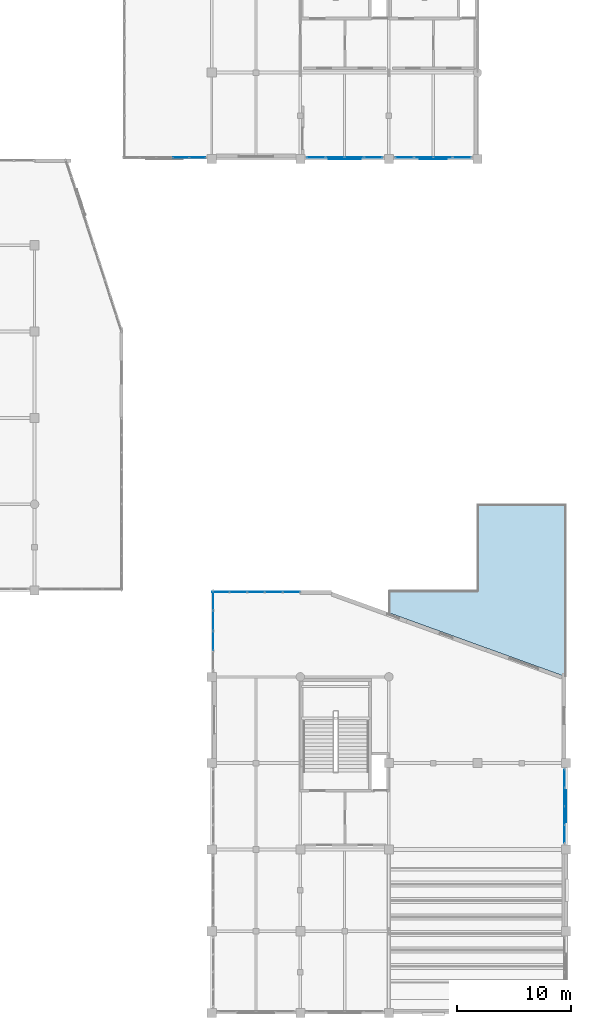
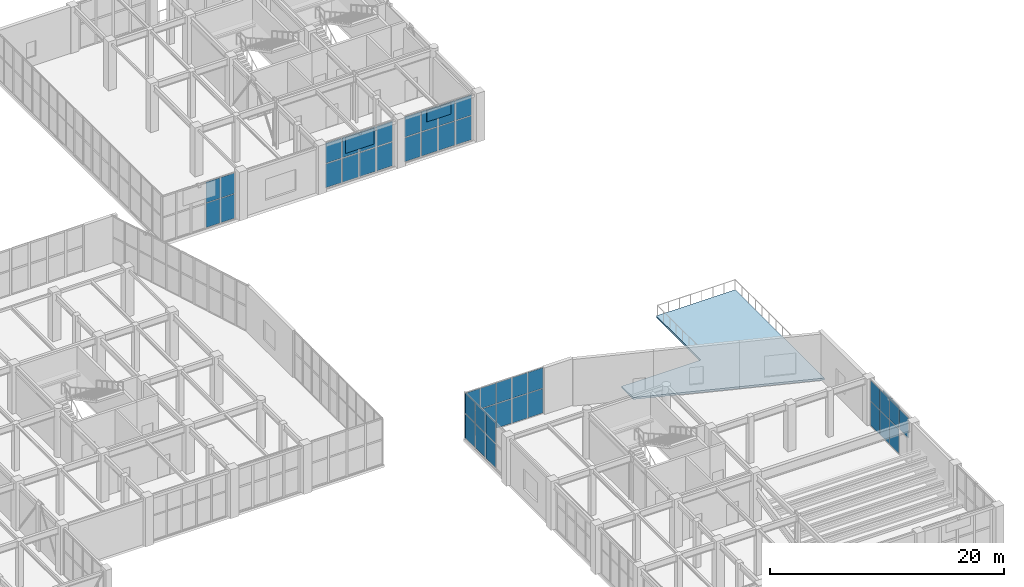
# One storey, part 104 of 128: 46 plates, 1 slab, 6 elements without a shape of their own.
"""IFC4 building model written with IfcOpenShell, lengths in metres."""

from ifc_helpers import new_model, si_unit, direction, frame, origin, origin_2d, place, context, subcontext, project, spatial, polyline, rectangle, outline, extrude, material, layer, layer_set, type_object, element, aggregate, save


model = new_model("IFC4")

# Units and contexts
model_context = context("Model", 3, precision=1e-05, world=origin(), true_north=direction((0.0, 1.0)))
body_context = subcontext(model_context, "Body", "Model", "MODEL_VIEW")
ifc_project = project(units=[si_unit("LENGTHUNIT", "METRE"), si_unit("AREAUNIT", "SQUARE_METRE"), si_unit("VOLUMEUNIT", "CUBIC_METRE"), si_unit("PLANEANGLEUNIT", "RADIAN"), si_unit("MASSUNIT", "GRAM", prefix="KILO")], contexts=[model_context])

# Site, building, storey
site_placement = place(None, origin())
site = spatial("IfcSite", under=ifc_project, at=site_placement, CompositionType="ELEMENT")
building_placement = place(site_placement, origin())
building = spatial("IfcBuilding", under=site, at=building_placement, Name="Xicomal Pleat Aquarium", CompositionType="ELEMENT")
storey_placement = place(building_placement, frame((0.0, 0.0, 5.39990234375)))
storey = spatial("IfcBuildingStorey", under=building, at=storey_placement, Name="L02", CompositionType="ELEMENT", Elevation=5.39990234375)

# Curtain wall, plates
ifc_material_1 = material(Name="Bronze anodized aluminium 6063-T6", Category="aluminium")
ifc_layer_1 = layer(ifc_material_1, 0.159912109375)
ifc_layer_set_1 = layer_set([ifc_layer_1], Name="Bronze anodized aluminium 6063-T6")
curtain_wall_type_1 = type_object("IfcCurtainWallType", Name="CW-SYS-02", PredefinedType="NOTDEFINED", material=ifc_layer_set_1)
curtain_wall_1_placement = place(storey_placement, origin())
curtain_wall_1 = element("IfcCurtainWall", 1, at=curtain_wall_1_placement, inside=storey, type_object=curtain_wall_type_1, Name="L02 unitised curtain wall CW-L02-072", PredefinedType="NOTDEFINED")
ifc_material_2 = material(Name="Insulated low-E laminated glass", Category="glass")
ifc_layer_2 = layer(ifc_material_2, 0.028076171875)
ifc_layer_set_2 = layer_set([ifc_layer_2], Name="Insulated low-E laminated glass")
plate_type_1 = type_object("IfcPlateType", Name="CWP-GLZ-28", PredefinedType="CURTAIN_PANEL", material=ifc_layer_set_2)
plate_1_placement = place(storey_placement, frame((164.860107421875, 21.44384765625, 0.065185546875), z_axis=(0.0, 0.0, 1.0), x_axis=(0.0, -1.0, 0.0)))
plate_1 = element("IfcPlate", 2, at=plate_1_placement, type_object=plate_type_1, Name="CW-02 panel 1.1", PredefinedType="CURTAIN_PANEL", context=body_context, shape_type="SweptSolid", body=[
    extrude(rectangle(XDim=1.54248046875, YDim=0.028076171875, at=origin_2d()), origin(), (0.0, 0.0, 1.0), 2.5166015625),
])
plate_2_placement = place(storey_placement, frame((164.860107421875, 21.44384765625, 2.646484375), z_axis=(0.0, 0.0, 1.0), x_axis=(0.0, -1.0, 0.0)))
plate_2 = element("IfcPlate", 3, at=plate_2_placement, type_object=plate_type_1, Name="CW-02 panel 1.2", PredefinedType="CURTAIN_PANEL", context=body_context, shape_type="SweptSolid", body=[
    extrude(rectangle(XDim=1.54248046875, YDim=0.028076171875, at=origin_2d()), origin(), (0.0, 0.0, 1.0), 2.12841796875),
])
plate_3_placement = place(storey_placement, frame((164.860107421875, 19.820068359375, 0.065185546875), z_axis=(0.0, 0.0, 1.0), x_axis=(0.0, -1.0, 0.0)))
plate_3 = element("IfcPlate", 4, at=plate_3_placement, type_object=plate_type_1, Name="CW-02 panel 2.1", PredefinedType="CURTAIN_PANEL", context=body_context, shape_type="SweptSolid", body=[
    extrude(rectangle(XDim=1.574951171875, YDim=0.028076171875, at=origin_2d()), origin(), (0.0, 0.0, 1.0), 2.5166015625),
])
plate_4_placement = place(storey_placement, frame((164.860107421875, 19.820068359375, 2.646484375), z_axis=(0.0, 0.0, 1.0), x_axis=(0.0, -1.0, 0.0)))
plate_4 = element("IfcPlate", 5, at=plate_4_placement, type_object=plate_type_1, Name="CW-02 panel 2.2", PredefinedType="CURTAIN_PANEL", context=body_context, shape_type="SweptSolid", body=[
    extrude(rectangle(XDim=1.574951171875, YDim=0.028076171875, at=origin_2d()), origin(), (0.0, 0.0, 1.0), 2.12841796875),
])
plate_5_placement = place(storey_placement, frame((164.860107421875, 18.179931640625, 0.065185546875), z_axis=(0.0, 0.0, 1.0), x_axis=(0.0, -1.0, 0.0)))
plate_5 = element("IfcPlate", 6, at=plate_5_placement, type_object=plate_type_1, Name="CW-02 panel 3.1", PredefinedType="CURTAIN_PANEL", context=body_context, shape_type="SweptSolid", body=[
    extrude(rectangle(XDim=1.574951171875, YDim=0.028076171875, at=origin_2d()), origin(), (0.0, 0.0, 1.0), 2.5166015625),
])
plate_6_placement = place(storey_placement, frame((164.860107421875, 18.179931640625, 2.646484375), z_axis=(0.0, 0.0, 1.0), x_axis=(0.0, -1.0, 0.0)))
plate_6 = element("IfcPlate", 7, at=plate_6_placement, type_object=plate_type_1, Name="CW-02 panel 3.2", PredefinedType="CURTAIN_PANEL", context=body_context, shape_type="SweptSolid", body=[
    extrude(rectangle(XDim=1.574951171875, YDim=0.028076171875, at=origin_2d()), origin(), (0.0, 0.0, 1.0), 2.12841796875),
])
plate_7_placement = place(storey_placement, frame((164.860107421875, 16.55615234375, 2.646484375), z_axis=(0.0, 0.0, 1.0), x_axis=(0.0, -1.0, 0.0)))
plate_7 = element("IfcPlate", 8, at=plate_7_placement, type_object=plate_type_1, Name="CW-02 panel 4.2", PredefinedType="CURTAIN_PANEL", context=body_context, shape_type="SweptSolid", body=[
    extrude(rectangle(XDim=1.54248046875, YDim=0.028076171875, at=origin_2d()), origin(), (0.0, 0.0, 1.0), 2.12841796875),
])
aggregate(curtain_wall_1, [plate_1, plate_2, plate_3, plate_4, plate_5, plate_6, plate_7])

ifc_material_3 = material(Name="Bronze anodized aluminium 6063-T6", Category="aluminium")
ifc_layer_3 = layer(ifc_material_3, 0.159912109375)
ifc_layer_set_3 = layer_set([ifc_layer_3], Name="Bronze anodized aluminium 6063-T6")
curtain_wall_type_2 = type_object("IfcCurtainWallType", Name="CW-SYS-12", PredefinedType="NOTDEFINED", material=ifc_layer_set_3)
curtain_wall_2_placement = place(storey_placement, origin())
curtain_wall_2 = element("IfcCurtainWall", 9, at=curtain_wall_2_placement, inside=storey, type_object=curtain_wall_type_2, Name="L02 unitised curtain wall CW-L02-080", PredefinedType="NOTDEFINED")
plate_8_placement = place(storey_placement, frame((133.93994140625, 33.574951171875, 0.0849609375), z_axis=(0.0, 0.0, 1.0), x_axis=(0.0, 1.0, 0.0)))
plate_8 = element("IfcPlate", 10, at=plate_8_placement, type_object=plate_type_1, Name="CW-12 panel 2.1", PredefinedType="CURTAIN_PANEL", context=body_context, shape_type="SweptSolid", body=[
    extrude(rectangle(XDim=1.68505859375, YDim=0.028076171875, at=origin_2d()), origin(), (0.0, 0.0, 1.0), 2.49658203125),
])
plate_9_placement = place(storey_placement, frame((133.93994140625, 33.574951171875, 2.66650390625), z_axis=(0.0, 0.0, 1.0), x_axis=(0.0, 1.0, 0.0)))
plate_9 = element("IfcPlate", 11, at=plate_9_placement, type_object=plate_type_1, Name="CW-12 panel 2.2", PredefinedType="CURTAIN_PANEL", context=body_context, shape_type="SweptSolid", body=[
    extrude(rectangle(XDim=1.68505859375, YDim=0.028076171875, at=origin_2d()), origin(), (0.0, 0.0, 1.0), 2.1083984375),
])
plate_10_placement = place(storey_placement, frame((133.93994140625, 35.344970703125, 0.0849609375), z_axis=(0.0, 0.0, 1.0), x_axis=(0.0, 1.0, 0.0)))
plate_10 = element("IfcPlate", 12, at=plate_10_placement, type_object=plate_type_1, Name="CW-12 panel 3.1", PredefinedType="CURTAIN_PANEL", context=body_context, shape_type="SweptSolid", body=[
    extrude(rectangle(XDim=1.68505859375, YDim=0.028076171875, at=origin_2d()), origin(), (0.0, 0.0, 1.0), 2.49658203125),
])
plate_11_placement = place(storey_placement, frame((133.93994140625, 35.344970703125, 2.66650390625), z_axis=(0.0, 0.0, 1.0), x_axis=(0.0, 1.0, 0.0)))
plate_11 = element("IfcPlate", 13, at=plate_11_placement, type_object=plate_type_1, Name="CW-12 panel 3.2", PredefinedType="CURTAIN_PANEL", context=body_context, shape_type="SweptSolid", body=[
    extrude(rectangle(XDim=1.68505859375, YDim=0.028076171875, at=origin_2d()), origin(), (0.0, 0.0, 1.0), 2.1083984375),
])
plate_12_placement = place(storey_placement, frame((133.93994140625, 37.09375, 0.0849609375), z_axis=(0.0, 0.0, 1.0), x_axis=(0.0, 1.0, 0.0)))
plate_12 = element("IfcPlate", 14, at=plate_12_placement, type_object=plate_type_1, Name="CW-12 panel 4.1", PredefinedType="CURTAIN_PANEL", context=body_context, shape_type="SweptSolid", body=[
    extrude(rectangle(XDim=1.642578125, YDim=0.028076171875, at=origin_2d()), origin(), (0.0, 0.0, 1.0), 2.49658203125),
])
plate_13_placement = place(storey_placement, frame((133.93994140625, 37.09375, 2.66650390625), z_axis=(0.0, 0.0, 1.0), x_axis=(0.0, 1.0, 0.0)))
plate_13 = element("IfcPlate", 15, at=plate_13_placement, type_object=plate_type_1, Name="CW-12 panel 4.2", PredefinedType="CURTAIN_PANEL", context=body_context, shape_type="SweptSolid", body=[
    extrude(rectangle(XDim=1.642578125, YDim=0.028076171875, at=origin_2d()), origin(), (0.0, 0.0, 1.0), 2.1083984375),
])
aggregate(curtain_wall_2, [plate_8, plate_9, plate_10, plate_11, plate_12, plate_13])

curtain_wall_3_placement = place(storey_placement, origin())
curtain_wall_3 = element("IfcCurtainWall", 16, at=curtain_wall_3_placement, inside=storey, type_object=curtain_wall_type_1, Name="L02 unitised curtain wall CW-L02-084", PredefinedType="NOTDEFINED")
plate_14_placement = place(storey_placement, frame((132.535888671875, 76.139892578125, 0.06494140625), z_axis=(0.0, 0.0, 1.0), x_axis=(-1.0, 0.0, 0.0)))
plate_14 = element("IfcPlate", 17, at=plate_14_placement, type_object=plate_type_1, Name="CW-02 panel 1.1", PredefinedType="CURTAIN_PANEL", context=body_context, shape_type="SweptSolid", body=[
    extrude(rectangle(XDim=1.3583984375, YDim=0.028076171875, at=origin_2d()), origin(), (0.0, 0.0, 1.0), 2.526611328125),
])
plate_15_placement = place(storey_placement, frame((132.535888671875, 76.139892578125, 2.65673828125), z_axis=(0.0, 0.0, 1.0), x_axis=(-1.0, 0.0, 0.0)))
plate_15 = element("IfcPlate", 18, at=plate_15_placement, type_object=plate_type_1, Name="CW-02 panel 1.2", PredefinedType="CURTAIN_PANEL", context=body_context, shape_type="SweptSolid", body=[
    extrude(rectangle(XDim=1.3583984375, YDim=0.028076171875, at=origin_2d()), origin(), (0.0, 0.0, 1.0), 2.138427734375),
])
plate_16_placement = place(storey_placement, frame((131.095947265625, 76.139892578125, 0.06494140625), z_axis=(0.0, 0.0, 1.0), x_axis=(-1.0, 0.0, 0.0)))
plate_16 = element("IfcPlate", 19, at=plate_16_placement, type_object=plate_type_1, Name="CW-02 panel 2.1", PredefinedType="CURTAIN_PANEL", context=body_context, shape_type="SweptSolid", body=[
    extrude(rectangle(XDim=1.39111328125, YDim=0.028076171875, at=origin_2d()), origin(), (0.0, 0.0, 1.0), 2.526611328125),
])
plate_17_placement = place(storey_placement, frame((131.095947265625, 76.139892578125, 2.65673828125), z_axis=(0.0, 0.0, 1.0), x_axis=(-1.0, 0.0, 0.0)))
plate_17 = element("IfcPlate", 20, at=plate_17_placement, type_object=plate_type_1, Name="CW-02 panel 2.2", PredefinedType="CURTAIN_PANEL", context=body_context, shape_type="SweptSolid", body=[
    extrude(rectangle(XDim=1.39111328125, YDim=0.028076171875, at=origin_2d()), origin(), (0.0, 0.0, 1.0), 2.138427734375),
])
aggregate(curtain_wall_3, [plate_14, plate_15, plate_16, plate_17])

curtain_wall_4_placement = place(storey_placement, origin())
curtain_wall_4 = element("IfcCurtainWall", 21, at=curtain_wall_4_placement, inside=storey, type_object=curtain_wall_type_1, Name="L02 unitised curtain wall CW-L02-081", PredefinedType="NOTDEFINED")
ifc_material_4 = material(Name="Insulated low-E laminated glass", Category="glass")
ifc_layer_4 = layer(ifc_material_4, 0.031982421875)
ifc_layer_set_4 = layer_set([ifc_layer_4], Name="Insulated low-E laminated glass")
plate_type_2 = type_object("IfcPlateType", Name="CWP-GLZ-32", PredefinedType="CURTAIN_PANEL", material=ifc_layer_set_4)
plate_18_placement = place(storey_placement, frame((134.59619140625, 37.860107421875, 0.06494140625), z_axis=(0.0, 0.0, 1.0), x_axis=(1.0, 0.0, 0.0)))
plate_18 = element("IfcPlate", 22, at=plate_18_placement, type_object=plate_type_2, Name="CW-02 panel 1.1", PredefinedType="CURTAIN_PANEL", context=body_context, shape_type="SweptSolid", body=[
    extrude(rectangle(XDim=1.46240234375, YDim=0.031982421875, at=origin_2d()), origin(), (0.0, 0.0, 1.0), 2.526611328125),
])
plate_19_placement = place(storey_placement, frame((134.59619140625, 37.860107421875, 2.65673828125), z_axis=(0.0, 0.0, 1.0), x_axis=(1.0, 0.0, 0.0)))
plate_19 = element("IfcPlate", 23, at=plate_19_placement, type_object=plate_type_2, Name="CW-02 panel 1.2", PredefinedType="CURTAIN_PANEL", context=body_context, shape_type="SweptSolid", body=[
    extrude(rectangle(XDim=1.46240234375, YDim=0.031982421875, at=origin_2d()), origin(), (0.0, 0.0, 1.0), 2.138427734375),
])
plate_20_placement = place(storey_placement, frame((136.139892578125, 37.860107421875, 0.06494140625), z_axis=(0.0, 0.0, 1.0), x_axis=(1.0, 0.0, 0.0)))
plate_20 = element("IfcPlate", 24, at=plate_20_placement, type_object=plate_type_2, Name="CW-02 panel 2.1", PredefinedType="CURTAIN_PANEL", context=body_context, shape_type="SweptSolid", body=[
    extrude(rectangle(XDim=1.4951171875, YDim=0.031982421875, at=origin_2d()), origin(), (0.0, 0.0, 1.0), 2.526611328125),
])
plate_21_placement = place(storey_placement, frame((136.139892578125, 37.860107421875, 2.65673828125), z_axis=(0.0, 0.0, 1.0), x_axis=(1.0, 0.0, 0.0)))
plate_21 = element("IfcPlate", 25, at=plate_21_placement, type_object=plate_type_2, Name="CW-02 panel 2.2", PredefinedType="CURTAIN_PANEL", context=body_context, shape_type="SweptSolid", body=[
    extrude(rectangle(XDim=1.4951171875, YDim=0.031982421875, at=origin_2d()), origin(), (0.0, 0.0, 1.0), 2.138427734375),
])
plate_22_placement = place(storey_placement, frame((137.699951171875, 37.860107421875, 0.06494140625), z_axis=(0.0, 0.0, 1.0), x_axis=(1.0, 0.0, 0.0)))
plate_22 = element("IfcPlate", 26, at=plate_22_placement, type_object=plate_type_2, Name="CW-02 panel 3.1", PredefinedType="CURTAIN_PANEL", context=body_context, shape_type="SweptSolid", body=[
    extrude(rectangle(XDim=1.4951171875, YDim=0.031982421875, at=origin_2d()), origin(), (0.0, 0.0, 1.0), 2.526611328125),
])
plate_23_placement = place(storey_placement, frame((137.699951171875, 37.860107421875, 2.65673828125), z_axis=(0.0, 0.0, 1.0), x_axis=(1.0, 0.0, 0.0)))
plate_23 = element("IfcPlate", 27, at=plate_23_placement, type_object=plate_type_2, Name="CW-02 panel 3.2", PredefinedType="CURTAIN_PANEL", context=body_context, shape_type="SweptSolid", body=[
    extrude(rectangle(XDim=1.4951171875, YDim=0.031982421875, at=origin_2d()), origin(), (0.0, 0.0, 1.0), 2.138427734375),
])
plate_24_placement = place(storey_placement, frame((139.260009765625, 37.860107421875, 0.06494140625), z_axis=(0.0, 0.0, 1.0), x_axis=(1.0, 0.0, 0.0)))
plate_24 = element("IfcPlate", 28, at=plate_24_placement, type_object=plate_type_2, Name="CW-02 panel 4.1", PredefinedType="CURTAIN_PANEL", context=body_context, shape_type="SweptSolid", body=[
    extrude(rectangle(XDim=1.4951171875, YDim=0.031982421875, at=origin_2d()), origin(), (0.0, 0.0, 1.0), 2.526611328125),
])
plate_25_placement = place(storey_placement, frame((139.260009765625, 37.860107421875, 2.65673828125), z_axis=(0.0, 0.0, 1.0), x_axis=(1.0, 0.0, 0.0)))
plate_25 = element("IfcPlate", 29, at=plate_25_placement, type_object=plate_type_2, Name="CW-02 panel 4.2", PredefinedType="CURTAIN_PANEL", context=body_context, shape_type="SweptSolid", body=[
    extrude(rectangle(XDim=1.4951171875, YDim=0.031982421875, at=origin_2d()), origin(), (0.0, 0.0, 1.0), 2.138427734375),
])
plate_26_placement = place(storey_placement, frame((140.8037109375, 37.860107421875, 0.06494140625), z_axis=(0.0, 0.0, 1.0), x_axis=(1.0, 0.0, 0.0)))
plate_26 = element("IfcPlate", 30, at=plate_26_placement, type_object=plate_type_2, Name="CW-02 panel 5.1", PredefinedType="CURTAIN_PANEL", context=body_context, shape_type="SweptSolid", body=[
    extrude(rectangle(XDim=1.46240234375, YDim=0.031982421875, at=origin_2d()), origin(), (0.0, 0.0, 1.0), 2.526611328125),
])
plate_27_placement = place(storey_placement, frame((140.8037109375, 37.860107421875, 2.65673828125), z_axis=(0.0, 0.0, 1.0), x_axis=(1.0, 0.0, 0.0)))
plate_27 = element("IfcPlate", 31, at=plate_27_placement, type_object=plate_type_2, Name="CW-02 panel 5.2", PredefinedType="CURTAIN_PANEL", context=body_context, shape_type="SweptSolid", body=[
    extrude(rectangle(XDim=1.46240234375, YDim=0.031982421875, at=origin_2d()), origin(), (0.0, 0.0, 1.0), 2.138427734375),
])
aggregate(curtain_wall_4, [plate_18, plate_19, plate_20, plate_21, plate_22, plate_23, plate_24, plate_25, plate_26, plate_27])

ifc_material_5 = material(Name="Bronze anodized aluminium 6063-T6", Category="aluminium")
ifc_layer_5 = layer(ifc_material_5, 0.159912109375)
ifc_layer_set_5 = layer_set([ifc_layer_5], Name="Bronze anodized aluminium 6063-T6")
curtain_wall_type_3 = type_object("IfcCurtainWallType", Name="CW-SYS-07", PredefinedType="NOTDEFINED", material=ifc_layer_set_5)
curtain_wall_5_placement = place(storey_placement, origin())
curtain_wall_5 = element("IfcCurtainWall", 32, at=curtain_wall_5_placement, inside=storey, type_object=curtain_wall_type_3, Name="L02 unitised curtain wall CW-L02-082", PredefinedType="NOTDEFINED")
ifc_material_6 = material(Name="Insulated low-E laminated glass", Category="glass")
ifc_layer_6 = layer(ifc_material_6, 0.035888671875)
ifc_layer_set_6 = layer_set([ifc_layer_6], Name="Insulated low-E laminated glass")
plate_type_3 = type_object("IfcPlateType", Name="CWP-GLZ-36", PredefinedType="CURTAIN_PANEL", material=ifc_layer_set_6)
plate_28_placement = place(storey_placement, frame((155.816162109375, 76.139892578125, 0.0751953125), z_axis=(0.0, 0.0, 1.0), x_axis=(-1.0, 0.0, 0.0)))
plate_28 = element("IfcPlate", 33, at=plate_28_placement, type_object=plate_type_3, Name="CW-07 panel 1.1", PredefinedType="CURTAIN_PANEL", context=body_context, shape_type="SweptSolid", body=[
    extrude(rectangle(XDim=1.577392578125, YDim=0.035888671875, at=origin_2d()), origin(), (0.0, 0.0, 1.0), 2.490478515625),
])
plate_29_placement = place(storey_placement, frame((155.816162109375, 76.139892578125, 2.640625), z_axis=(0.0, 0.0, 1.0), x_axis=(-1.0, 0.0, 0.0)))
plate_29 = element("IfcPlate", 34, at=plate_29_placement, type_object=plate_type_3, Name="CW-07 panel 1.2", PredefinedType="CURTAIN_PANEL", context=body_context, shape_type="SweptSolid", body=[
    extrude(rectangle(XDim=1.577392578125, YDim=0.035888671875, at=origin_2d()), origin(), (0.0, 0.0, 1.0), 2.1044921875),
])
plate_30_placement = place(storey_placement, frame((154.14501953125, 76.139892578125, 0.0751953125), z_axis=(0.0, 0.0, 1.0), x_axis=(-1.0, 0.0, 0.0)))
plate_30 = element("IfcPlate", 35, at=plate_30_placement, type_object=plate_type_3, Name="CW-07 panel 2.1", PredefinedType="CURTAIN_PANEL", context=body_context, shape_type="SweptSolid", body=[
    extrude(rectangle(XDim=1.614990234375, YDim=0.035888671875, at=origin_2d()), origin(), (0.0, 0.0, 1.0), 2.490478515625),
])
plate_31_placement = place(storey_placement, frame((154.14501953125, 76.139892578125, 2.640625), z_axis=(0.0, 0.0, 1.0), x_axis=(-1.0, 0.0, 0.0)))
plate_31 = element("IfcPlate", 36, at=plate_31_placement, type_object=plate_type_3, Name="CW-07 panel 2.2", PredefinedType="CURTAIN_PANEL", context=body_context, shape_type="SweptSolid", body=[
    extrude(rectangle(XDim=1.614990234375, YDim=0.035888671875, at=origin_2d()), origin(), (0.0, 0.0, 1.0), 2.1044921875),
])
plate_32_placement = place(storey_placement, frame((152.455078125, 76.139892578125, 0.0751953125), z_axis=(0.0, 0.0, 1.0), x_axis=(-1.0, 0.0, 0.0)))
plate_32 = element("IfcPlate", 37, at=plate_32_placement, type_object=plate_type_3, Name="CW-07 panel 3.1", PredefinedType="CURTAIN_PANEL", context=body_context, shape_type="SweptSolid", body=[
    extrude(rectangle(XDim=1.614990234375, YDim=0.035888671875, at=origin_2d()), origin(), (0.0, 0.0, 1.0), 2.490478515625),
])
plate_33_placement = place(storey_placement, frame((152.455078125, 76.139892578125, 2.640625), z_axis=(0.0, 0.0, 1.0), x_axis=(-1.0, 0.0, 0.0)))
plate_33 = element("IfcPlate", 38, at=plate_33_placement, type_object=plate_type_3, Name="CW-07 panel 3.2", PredefinedType="CURTAIN_PANEL", context=body_context, shape_type="SweptSolid", body=[
    extrude(rectangle(XDim=1.614990234375, YDim=0.035888671875, at=origin_2d()), origin(), (0.0, 0.0, 1.0), 2.1044921875),
])
plate_34_placement = place(storey_placement, frame((150.78369140625, 76.139892578125, 0.0751953125), z_axis=(0.0, 0.0, 1.0), x_axis=(-1.0, 0.0, 0.0)))
plate_34 = element("IfcPlate", 39, at=plate_34_placement, type_object=plate_type_3, Name="CW-07 panel 4.1", PredefinedType="CURTAIN_PANEL", context=body_context, shape_type="SweptSolid", body=[
    extrude(rectangle(XDim=1.577392578125, YDim=0.035888671875, at=origin_2d()), origin(), (0.0, 0.0, 1.0), 2.490478515625),
])
plate_35_placement = place(storey_placement, frame((150.78369140625, 76.139892578125, 2.640625), z_axis=(0.0, 0.0, 1.0), x_axis=(-1.0, 0.0, 0.0)))
plate_35 = element("IfcPlate", 40, at=plate_35_placement, type_object=plate_type_3, Name="CW-07 panel 4.2", PredefinedType="CURTAIN_PANEL", context=body_context, shape_type="SweptSolid", body=[
    extrude(rectangle(XDim=1.577392578125, YDim=0.035888671875, at=origin_2d()), origin(), (0.0, 0.0, 1.0), 2.1044921875),
])
aggregate(curtain_wall_5, [plate_28, plate_29, plate_30, plate_31, plate_32, plate_33, plate_34, plate_35])

curtain_wall_6_placement = place(storey_placement, origin())
curtain_wall_6 = element("IfcCurtainWall", 41, at=curtain_wall_6_placement, inside=storey, type_object=curtain_wall_type_2, Name="L02 unitised curtain wall CW-L02-083", PredefinedType="NOTDEFINED")
ifc_material_7 = material(Name="Insulated low-E laminated glass", Category="glass")
ifc_layer_7 = layer(ifc_material_7, 0.0419921875)
ifc_layer_set_7 = layer_set([ifc_layer_7], Name="Insulated low-E laminated glass")
plate_type_4 = type_object("IfcPlateType", Name="CWP-GLZ-42", PredefinedType="CURTAIN_PANEL", material=ifc_layer_set_7)
plate_36_placement = place(storey_placement, frame((148.013671875, 76.139892578125, 0.085205078125), z_axis=(0.0, 0.0, 1.0), x_axis=(-1.0, 0.0, 0.0)))
plate_36 = element("IfcPlate", 42, at=plate_36_placement, type_object=plate_type_4, Name="CW-12 panel 1.1", PredefinedType="CURTAIN_PANEL", context=body_context, shape_type="SweptSolid", body=[
    extrude(rectangle(XDim=1.5625, YDim=0.0419921875, at=origin_2d()), origin(), (0.0, 0.0, 1.0), 2.4755859375),
])
plate_37_placement = place(storey_placement, frame((148.013671875, 76.139892578125, 2.6455078125), z_axis=(0.0, 0.0, 1.0), x_axis=(-1.0, 0.0, 0.0)))
plate_37 = element("IfcPlate", 43, at=plate_37_placement, type_object=plate_type_4, Name="CW-12 panel 1.2", PredefinedType="CURTAIN_PANEL", context=body_context, shape_type="SweptSolid", body=[
    extrude(rectangle(XDim=1.5625, YDim=0.0419921875, at=origin_2d()), origin(), (0.0, 0.0, 1.0), 2.089599609375),
])
plate_38_placement = place(storey_placement, frame((146.344970703125, 76.139892578125, 0.085205078125), z_axis=(0.0, 0.0, 1.0), x_axis=(-1.0, 0.0, 0.0)))
plate_38 = element("IfcPlate", 44, at=plate_38_placement, type_object=plate_type_4, Name="CW-12 panel 2.1", PredefinedType="CURTAIN_PANEL", context=body_context, shape_type="SweptSolid", body=[
    extrude(rectangle(XDim=1.60498046875, YDim=0.0419921875, at=origin_2d()), origin(), (0.0, 0.0, 1.0), 2.4755859375),
])
plate_39_placement = place(storey_placement, frame((146.344970703125, 76.139892578125, 2.6455078125), z_axis=(0.0, 0.0, 1.0), x_axis=(-1.0, 0.0, 0.0)))
plate_39 = element("IfcPlate", 45, at=plate_39_placement, type_object=plate_type_4, Name="CW-12 panel 2.2", PredefinedType="CURTAIN_PANEL", context=body_context, shape_type="SweptSolid", body=[
    extrude(rectangle(XDim=1.60498046875, YDim=0.0419921875, at=origin_2d()), origin(), (0.0, 0.0, 1.0), 2.089599609375),
])
plate_40_placement = place(storey_placement, frame((144.655029296875, 76.139892578125, 0.085205078125), z_axis=(0.0, 0.0, 1.0), x_axis=(-1.0, 0.0, 0.0)))
plate_40 = element("IfcPlate", 46, at=plate_40_placement, type_object=plate_type_4, Name="CW-12 panel 3.1", PredefinedType="CURTAIN_PANEL", context=body_context, shape_type="SweptSolid", body=[
    extrude(rectangle(XDim=1.60498046875, YDim=0.0419921875, at=origin_2d()), origin(), (0.0, 0.0, 1.0), 2.4755859375),
])
plate_41_placement = place(storey_placement, frame((144.655029296875, 76.139892578125, 2.6455078125), z_axis=(0.0, 0.0, 1.0), x_axis=(-1.0, 0.0, 0.0)))
plate_41 = element("IfcPlate", 47, at=plate_41_placement, type_object=plate_type_4, Name="CW-12 panel 3.2", PredefinedType="CURTAIN_PANEL", context=body_context, shape_type="SweptSolid", body=[
    extrude(rectangle(XDim=1.60498046875, YDim=0.0419921875, at=origin_2d()), origin(), (0.0, 0.0, 1.0), 2.089599609375),
])
plate_42_placement = place(storey_placement, frame((142.986328125, 76.139892578125, 0.085205078125), z_axis=(0.0, 0.0, 1.0), x_axis=(-1.0, 0.0, 0.0)))
plate_42 = element("IfcPlate", 48, at=plate_42_placement, type_object=plate_type_4, Name="CW-12 panel 4.1", PredefinedType="CURTAIN_PANEL", context=body_context, shape_type="SweptSolid", body=[
    extrude(rectangle(XDim=1.5625, YDim=0.0419921875, at=origin_2d()), origin(), (0.0, 0.0, 1.0), 2.4755859375),
])
plate_43_placement = place(storey_placement, frame((142.986328125, 76.139892578125, 2.6455078125), z_axis=(0.0, 0.0, 1.0), x_axis=(-1.0, 0.0, 0.0)))
plate_43 = element("IfcPlate", 49, at=plate_43_placement, type_object=plate_type_4, Name="CW-12 panel 4.2", PredefinedType="CURTAIN_PANEL", context=body_context, shape_type="SweptSolid", body=[
    extrude(rectangle(XDim=1.5625, YDim=0.0419921875, at=origin_2d()), origin(), (0.0, 0.0, 1.0), 2.089599609375),
])
aggregate(curtain_wall_6, [plate_36, plate_37, plate_38, plate_39, plate_40, plate_41, plate_42, plate_43])

# Plates
ifc_material_8 = material(Name="Perforated bronze anodized aluminium", Category="aluminium")
ifc_layer_8 = layer(ifc_material_8, 0.01611328125)
ifc_layer_set_8 = layer_set([ifc_layer_8], Name="Perforated bronze anodized aluminium")
plate_type_5 = type_object("IfcPlateType", Name="PLT-SUN-16", PredefinedType="USERDEFINED", material=ifc_layer_set_8)
plate_44_placement = place(storey_placement, frame((153.300048828125, 75.97998046875, 3.580078125), z_axis=(0.0, 0.0, 1.0), x_axis=(-1.0, 0.0, 0.0)))
element("IfcPlate", 50, at=plate_44_placement, inside=storey, type_object=plate_type_5, Name="L02 perforated solar sunshade 45", ObjectType="SUNSHADE PANEL", PredefinedType="USERDEFINED", context=body_context, shape_type="SweptSolid", body=[
    extrude(rectangle(XDim=2.39990234375, YDim=0.01611328125, at=origin_2d()), origin(), (0.0, 0.0, 1.0), 1.199951171875),
])
ifc_material_9 = material(Name="Perforated bronze anodized aluminium", Category="aluminium")
ifc_layer_9 = layer(ifc_material_9, 0.02001953125)
ifc_layer_set_9 = layer_set([ifc_layer_9], Name="Perforated bronze anodized aluminium")
plate_type_6 = type_object("IfcPlateType", Name="PLT-SUN-20", PredefinedType="USERDEFINED", material=ifc_layer_set_9)
for number, where, z_axis, x_axis, name in (
    (51, (165.02001953125, 19.0, 3.1201171875), (0.0, 0.0, 1.0), (0.0, -1.0, 0.0), "L02 perforated solar sunshade 40"),
    (52, (145.5, 75.97998046875, 3.10009765625), (0.0, 0.0, 1.0), (-1.0, 0.0, 0.0), "L02 perforated solar sunshade 46"),
):
    element("IfcPlate", number, at=place(storey_placement, frame(where, z_axis=z_axis, x_axis=x_axis)), inside=storey, type_object=plate_type_6, Name=name, ObjectType="SUNSHADE PANEL", PredefinedType="USERDEFINED", context=body_context, shape_type="SweptSolid", body=[
        extrude(rectangle(XDim=2.800048828125, YDim=0.02001953125, at=origin_2d()), origin(), (0.0, 0.0, 1.0), 1.679931640625),
    ])

# Slab
ifc_material_10 = material(Name="Concrete C40/50", Category="concrete")
ifc_layer_10 = layer(ifc_material_10, 0.199951171875)
ifc_layer_set_10 = layer_set([ifc_layer_10], Name="Concrete C40/50")
slab_type = type_object("IfcSlabType", Name="SLB-TER-200", PredefinedType="FLOOR", material=ifc_layer_set_10)
slab_placement = place(storey_placement, frame((0.0, 0.0, -0.199951171875)))
element("IfcSlab", 53, at=slab_placement, inside=storey, type_object=slab_type, Name="L02 outdoor planted court terrace TR-L02-E", PredefinedType="FLOOR", context=body_context, shape_type="SweptSolid", body=[
    extrude(outline(polyline([(149.39990234375, 38.0), (157.199951171875, 38.0), (157.199951171875, 45.60009765625), (165.0, 45.60009765625), (165.0, 30.39990234375), (149.39990234375, 36.0458984375), (149.39990234375, 38.0)])), origin(), (0.0, 0.0, 1.0), 0.199951171875),
])

save(model, "model.ifc")
